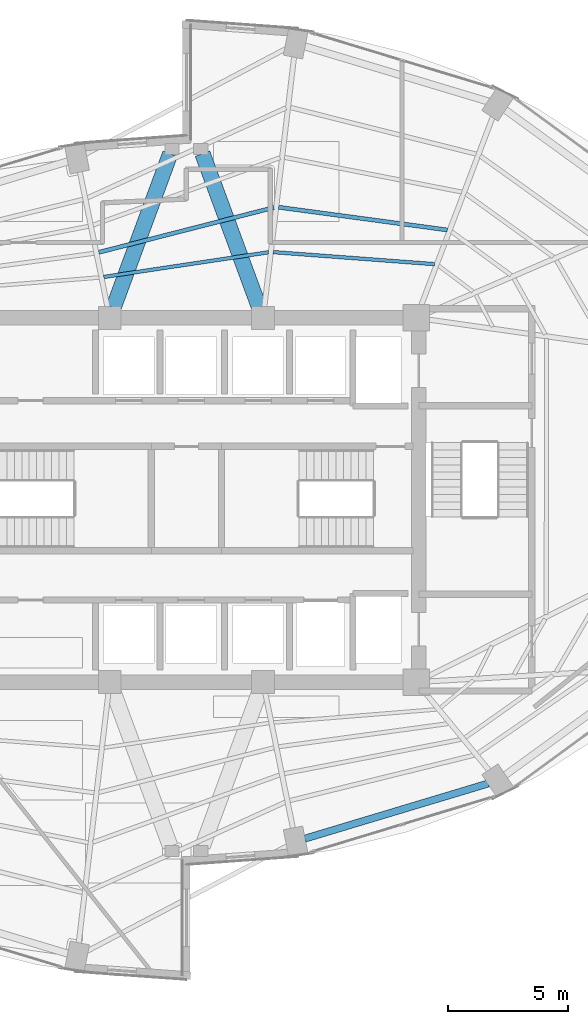
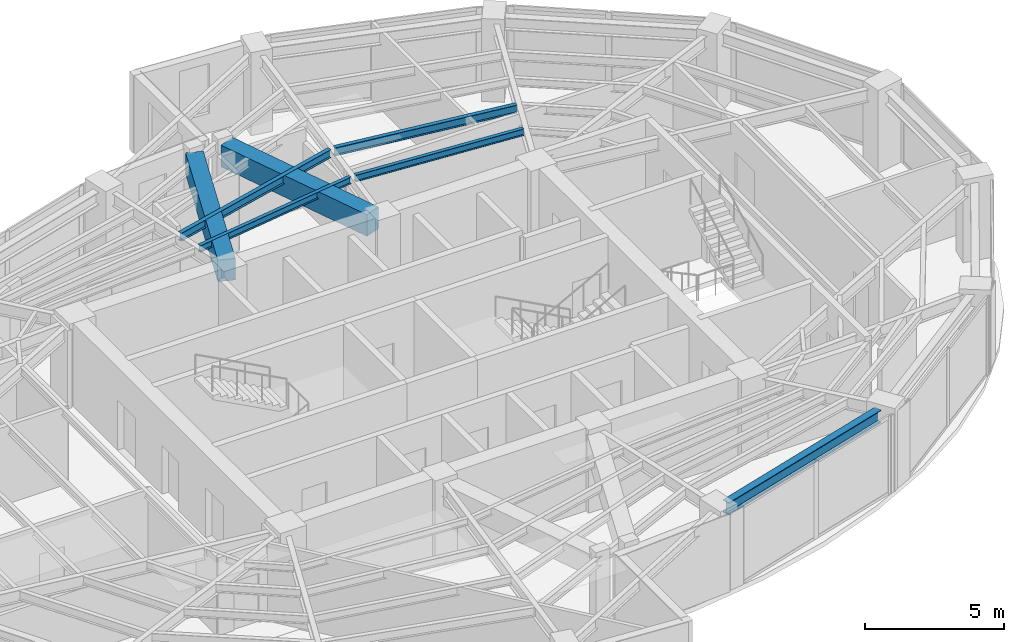
# One storey, part 8 of 20: 7 beams.
"""IFC4 building model written with IfcOpenShell, lengths in metres."""

import ifcopenshell
import ifcopenshell.guid

model = None  # the IFC model being written
_history = None  # IfcOwnerHistory: only IFC2X3 demands one
_inside = {}  # id of a spatial element -> (the spatial element, [elements in it])
_under = {}  # id of a project, library or spatial element -> (it, [spatial elements below it])
_declared = {}  # id of a project -> (the project, [libraries it declares])
_typed = {}  # id of a type object -> (the type object, [elements of that type])
_made_of = {}  # id of a material, layer set ... -> (it, [elements and type objects made of it])


def new_model(schema):
    """Start an empty IFC model of exactly this schema.

    Asked for "IFC4X3", IfcOpenShell would pick the latest addendum, in which some entities
    have other attributes; the version numbers below select the first issue.
    IFC2X3 requires an IfcOwnerHistory on every rooted entity: one is made here for all.
    """
    global model, _history
    if schema == "IFC4X3":
        model = ifcopenshell.file(schema_version=(4, 3, 0, 0))
    else:
        model = ifcopenshell.file(schema=schema)
    _inside.clear()
    _under.clear()
    _declared.clear()
    _typed.clear()
    _made_of.clear()
    _history = None
    if model.schema == "IFC2X3":
        org = make("IfcOrganization", Name="unknown")
        user = make(
            "IfcPersonAndOrganization",
            ThePerson=make("IfcPerson", FamilyName="unknown"),
            TheOrganization=org,
        )
        app = make(
            "IfcApplication",
            ApplicationDeveloper=org,
            Version="unknown",
            ApplicationFullName="unknown",
            ApplicationIdentifier="unknown",
        )
        _history = make(
            "IfcOwnerHistory",
            OwningUser=user,
            OwningApplication=app,
            ChangeAction="ADDED",
            CreationDate=0,
        )
    return model


def make(cls, **values):
    """One entity of the class cls with the attributes given. An attribute that is None is left unset."""
    return model.create_entity(
        cls, **{name: value for name, value in values.items() if value is not None}
    )


def rooted(cls, **values):
    """An entity with a GlobalId (a new one), such as an element, a storey or a relation."""
    return make(cls, GlobalId=ifcopenshell.guid.new(), OwnerHistory=_history, **values)


def si_unit(unit_type, name, prefix=None):
    """IfcSIUnit, for example si_unit("LENGTHUNIT", "METRE", prefix="MILLI")."""
    return make("IfcSIUnit", UnitType=unit_type, Prefix=prefix, Name=name)


def assignment(units):
    """IfcUnitAssignment: the units of a project."""
    return None if units is None else make("IfcUnitAssignment", Units=units)


def point(xyz):
    """IfcCartesianPoint."""
    return None if xyz is None else make("IfcCartesianPoint", Coordinates=xyz)


def direction(xyz):
    """IfcDirection."""
    return None if xyz is None else make("IfcDirection", DirectionRatios=xyz)


def frame(location, z_axis=None, x_axis=None):
    """IfcAxis2Placement3D, a coordinate frame: its origin and axes. An axis left out is left unset."""
    return make(
        "IfcAxis2Placement3D",
        Location=point(location),
        Axis=direction(z_axis),
        RefDirection=direction(x_axis),
    )


def frame_2d(location, x_axis=None):
    """IfcAxis2Placement2D, a coordinate frame in the plane: its origin and x axis."""
    return make(
        "IfcAxis2Placement2D", Location=point(location), RefDirection=direction(x_axis)
    )


def origin():
    """The frame at (0, 0, 0) with its axes left unset."""
    return frame((0.0, 0.0, 0.0))


def origin_2d():
    """The frame at (0, 0) in the plane with its x axis left unset."""
    return frame_2d((0.0, 0.0))


def place(relative_to, where):
    """IfcLocalPlacement: puts the frame where relative to a parent placement (None: the world)."""
    return make(
        "IfcLocalPlacement", PlacementRelTo=relative_to, RelativePlacement=where
    )


def context(
    kind, dimensions, precision=None, world=None, true_north=None, identifier=None
):
    """IfcGeometricRepresentationContext, for example the 3D "Model" context."""
    return make(
        "IfcGeometricRepresentationContext",
        ContextIdentifier=identifier,
        ContextType=kind,
        CoordinateSpaceDimension=dimensions,
        Precision=precision,
        WorldCoordinateSystem=world,
        TrueNorth=true_north,
    )


def subcontext(parent, identifier, kind, view, scale=None):
    """IfcGeometricRepresentationSubContext, for example "Body" below "Model"."""
    return make(
        "IfcGeometricRepresentationSubContext",
        ContextIdentifier=identifier,
        ContextType=kind,
        ParentContext=parent,
        TargetScale=scale,
        TargetView=view,
    )


def project(units=None, contexts=None):
    """IfcProject with its units and contexts."""
    return rooted(
        "IfcProject",
        Name="project",
        RepresentationContexts=contexts,
        UnitsInContext=assignment(units),
    )


def spatial(cls, under=None, at=None, **own):
    """A site, building, storey or space (cls), placed at a placement, below another one or the project."""
    s = rooted(cls, ObjectPlacement=at, **own)
    if under is not None:
        _under.setdefault(under.id(), (under, []))[1].append(s)
    return s


def profile(cls, at=None, kind="AREA", **sizes):
    """A parametric profile (cls). Its sizes go by their IFC names, for example OverallWidth=200.0."""
    return make(cls, ProfileType=kind, Position=at, **sizes)


def rectangle(**sizes):
    """IfcRectangleProfileDef."""
    return profile("IfcRectangleProfileDef", **sizes)


def i_section(**sizes):
    """IfcIShapeProfileDef."""
    return profile("IfcIShapeProfileDef", **sizes)


def extrude(swept, where, along, depth):
    """IfcExtrudedAreaSolid: the profile swept, set in the frame where, extruded along a direction by depth."""
    return make(
        "IfcExtrudedAreaSolid",
        SweptArea=swept,
        Position=where,
        ExtrudedDirection=direction(along),
        Depth=depth,
    )


def shape(context_of_items, identifier, shape_type, items):
    """IfcShapeRepresentation: the items that make up one representation, for example the "Body"."""
    return make(
        "IfcShapeRepresentation",
        ContextOfItems=context_of_items,
        RepresentationIdentifier=identifier,
        RepresentationType=shape_type,
        Items=items,
    )


def material(Name=None, Category=None):
    """IfcMaterial."""
    return make("IfcMaterial", Name=Name, Category=Category)


def material_profile(
    of_material, cross_section, Name=None, Category=None, Priority=None
):
    """IfcMaterialProfile: a cross section and its material."""
    return make(
        "IfcMaterialProfile",
        Name=Name,
        Material=of_material,
        Profile=cross_section,
        Priority=Priority,
        Category=Category,
    )


def profile_set(profiles, Name=None, composite=None):
    """IfcMaterialProfileSet."""
    return make(
        "IfcMaterialProfileSet",
        Name=Name,
        MaterialProfiles=profiles,
        CompositeProfile=composite,
    )


def made_of(thing, what):
    """Note that an element or type object is made of a material, layer set ...; save() writes the relation."""
    if what is not None:
        _made_of.setdefault(what.id(), (what, []))[1].append(thing)
    return thing


def type_object(cls, material=None, **own):
    """A type object (cls), such as IfcWallType, which elements share."""
    return made_of(rooted(cls, **own), material)


def element(
    cls,
    number,
    at=None,
    inside=None,
    cuts=None,
    type_object=None,
    material=None,
    context=None,
    identifier="Body",
    shape_type=None,
    held_by="IfcProductDefinitionShape",
    body=None,
    shapes=None,
    **own,
):
    """One element of the class cls, such as IfcWall. Its Tag is "e" and its number.

    at: its placement. inside: the storey or other place that contains it. cuts: it is an
    opening in that element (IfcRelVoidsElement). A single representation is given by context,
    identifier, shape_type and body (its items); several are given by shapes. held_by: the class
    of the entity that holds the representations. save() writes the other relations.
    """
    e = rooted(cls, Tag="e%d" % number, ObjectPlacement=at, **own)
    if body is not None:
        shapes = [shape(context, identifier, shape_type, body)]
    if shapes is not None:
        e.Representation = make(held_by, Representations=shapes)
    if inside is not None:
        _inside.setdefault(inside.id(), (inside, []))[1].append(e)
    if cuts is not None:
        rooted(
            "IfcRelVoidsElement", RelatingBuildingElement=cuts, RelatedOpeningElement=e
        )
    if type_object is not None:
        _typed.setdefault(type_object.id(), (type_object, []))[1].append(e)
    return made_of(e, material)


def aggregate(whole, parts):
    """IfcRelAggregates: a whole, such as a stair, and the parts it consists of."""
    return rooted("IfcRelAggregates", RelatingObject=whole, RelatedObjects=parts)


def save(model, path):
    """Write the relations noted so far, then the file.

    IfcRelAggregates (storeys below a building ...), IfcRelContainedInSpatialStructure (elements
    in a storey), IfcRelDefinesByType, IfcRelAssociatesMaterial and IfcRelDeclares: one each for
    every whole, place, type object, material and project.
    """
    for whole, parts in _under.values():
        aggregate(whole, parts)
    for where, things in _inside.values():
        rooted(
            "IfcRelContainedInSpatialStructure",
            RelatedElements=things,
            RelatingStructure=where,
        )
    for kind, things in _typed.values():
        rooted("IfcRelDefinesByType", RelatedObjects=things, RelatingType=kind)
    for what, things in _made_of.values():
        rooted("IfcRelAssociatesMaterial", RelatedObjects=things, RelatingMaterial=what)
    for by, libraries in _declared.values():
        rooted("IfcRelDeclares", RelatingContext=by, RelatedDefinitions=libraries)
    model.write(path)


model = new_model("IFC4")

# Units and contexts
model_context = context("Model", 3, precision=1e-05, world=origin(), true_north=direction((0.0, 1.0)))
body_context = subcontext(model_context, "Body", "Model", "MODEL_VIEW")
ifc_project = project(units=[si_unit("LENGTHUNIT", "METRE"), si_unit("AREAUNIT", "SQUARE_METRE"), si_unit("VOLUMEUNIT", "CUBIC_METRE"), si_unit("PLANEANGLEUNIT", "RADIAN"), si_unit("MASSUNIT", "GRAM", prefix="KILO")], contexts=[model_context])

# Site, building, storey
site_placement = place(None, origin())
site = spatial("IfcSite", under=ifc_project, at=site_placement, CompositionType="ELEMENT")
building_placement = place(site_placement, origin())
building = spatial("IfcBuilding", under=site, at=building_placement, Name="Lazwardi Medical Tower", CompositionType="ELEMENT")
storey_placement = place(building_placement, frame((0.0, 0.0, 149.23193359375)))
storey = spatial("IfcBuildingStorey", under=building, at=storey_placement, Name="L38", CompositionType="ELEMENT", Elevation=149.23193359375)

# Beams
ifc_material_1 = material(Name="Concrete C60/75", Category="concrete")
ifc_material_profile_1 = material_profile(ifc_material_1, rectangle(XDim=0.64990234375, YDim=0.949951171875, at=origin_2d()), Name="RC 650x950")
ifc_profile_set_1 = profile_set([ifc_material_profile_1], Name="Concrete C60/75")
beam_type_1 = type_object("IfcBeamType", Name="BM-CB-RC2", PredefinedType="LINTEL", material=ifc_profile_set_1)
for number, where, z_axis, x_axis, name in (
    (1, (32.959228515625, 36.031494140625, 2.953125), (0.34601281054, 0.938229787921, 0.0), (-0.938229787921, 0.34601281054, 0.0), "Core coupling lintel CB-02 PL1 L38"),
    (2, (39.040771484375, 36.031494140625, 2.953125), (-0.34601281054, 0.938229787921, 0.0), (-0.938229787921, -0.34601281054, 0.0), "Core coupling lintel CB-02 PL2 L38"),
):
    element("IfcBeam", number, at=place(storey_placement, frame(where, z_axis=z_axis, x_axis=x_axis)), inside=storey, type_object=beam_type_1, Name=name, PredefinedType="LINTEL", context=body_context, shape_type="SweptSolid", body=[
        extrude(rectangle(XDim=0.64990234375, YDim=0.949951171875, at=origin_2d()), origin(), (0.0, 0.0, 1.0), 6.84423828125),
    ])
ifc_material_2 = material(Name="Steel S355", Category="steel")
ifc_material_profile_2 = material_profile(ifc_material_2, i_section(OverallWidth=0.300048828125, OverallDepth=0.550048828125, WebThickness=0.014892578125, FlangeThickness=0.029052734375, at=origin_2d()), Name="HEB 550")
ifc_profile_set_2 = profile_set([ifc_material_profile_2], Name="Steel S355")
beam_type_2 = type_object("IfcBeamType", Name="BM-RB-Z3", PredefinedType="BEAM", material=ifc_profile_set_2)
beam_1_placement = place(storey_placement, frame((40.943115234375, 13.866455078125, 3.153076171875), z_axis=(0.957616873483, 0.288045002771, 0.0), x_axis=(-0.288045002771, 0.957616873483, 0.0)))
element("IfcBeam", 3, at=beam_1_placement, inside=storey, type_object=beam_type_2, Name="Ring beam RB-04 B01 L38", PredefinedType="BEAM", context=body_context, shape_type="SweptSolid", body=[
    extrude(i_section(OverallWidth=0.300048828125, OverallDepth=0.550048828125, WebThickness=0.014892578125, FlangeThickness=0.029052734375, at=origin_2d()), origin(), (0.0, 0.0, 1.0), 7.99951171875),
])
ifc_material_profile_3 = material_profile(ifc_material_2, i_section(OverallWidth=0.169921875, OverallDepth=0.360107421875, WebThickness=0.008056640625, FlangeThickness=0.0126953125, at=origin_2d()), Name="IPE 360")
ifc_profile_set_3 = profile_set([ifc_material_profile_3], Name="Steel S355")
beam_type_3 = type_object("IfcBeamType", Name="BM-SJ-02", PredefinedType="JOIST", material=ifc_profile_set_3)
beam_2_placement = place(storey_placement, frame((46.889892578125, 39.269775390625, 3.248046875), z_axis=(-0.991056291961, 0.133444468468, 0.0), x_axis=(-0.133444468468, -0.991056291961, 0.0)))
element("IfcBeam", 4, at=beam_2_placement, inside=storey, type_object=beam_type_3, Name="Secondary joist SJ-02 R3 B07 L38", PredefinedType="JOIST", context=body_context, shape_type="SweptSolid", body=[
    extrude(i_section(OverallWidth=0.169921875, OverallDepth=0.360107421875, WebThickness=0.008056640625, FlangeThickness=0.0126953125, at=origin_2d()), origin(), (0.0, 0.0, 1.0), 7.10400390625),
])
beam_3_placement = place(storey_placement, frame((39.6533203125, 40.206298828125, 3.248046875), z_axis=(-0.96877632572, -0.247936344097, 0.0), x_axis=(0.247936344097, -0.96877632572, 0.0)))
element("IfcBeam", 5, at=beam_3_placement, inside=storey, type_object=beam_type_3, Name="Secondary joist SJ-02 R3 B08 L38", PredefinedType="JOIST", context=body_context, shape_type="SweptSolid", body=[
    extrude(i_section(OverallWidth=0.169921875, OverallDepth=0.360107421875, WebThickness=0.008056640625, FlangeThickness=0.0126953125, at=origin_2d()), origin(), (0.0, 0.0, 1.0), 7.546630859375),
])
ifc_material_profile_4 = material_profile(ifc_material_2, i_section(OverallWidth=0.14990234375, OverallDepth=0.300048828125, WebThickness=0.007080078125, FlangeThickness=0.0107421875, at=origin_2d()), Name="IPE 300")
ifc_profile_set_4 = profile_set([ifc_material_profile_4], Name="Steel S355")
beam_type_4 = type_object("IfcBeamType", Name="BM-SJ-03", PredefinedType="JOIST", material=ifc_profile_set_4)
beam_4_placement = place(storey_placement, frame((46.349609375, 37.843505859375, 3.278076171875), z_axis=(-0.99722699261, 0.074419924822, 0.0), x_axis=(-0.074419924822, -0.99722699261, 0.0)))
element("IfcBeam", 6, at=beam_4_placement, inside=storey, type_object=beam_type_4, Name="Secondary joist SJ-03 R4 B07 L38", PredefinedType="JOIST", context=body_context, shape_type="SweptSolid", body=[
    extrude(i_section(OverallWidth=0.14990234375, OverallDepth=0.300048828125, WebThickness=0.007080078125, FlangeThickness=0.0107421875, at=origin_2d()), origin(), (0.0, 0.0, 1.0), 6.74169921875),
])
beam_5_placement = place(storey_placement, frame((39.42822265625, 38.337890625, 3.278076171875), z_axis=(-0.98897469849, -0.148084589835, 0.0), x_axis=(0.148084589835, -0.98897469849, 0.0)))
element("IfcBeam", 7, at=beam_5_placement, inside=storey, type_object=beam_type_4, Name="Secondary joist SJ-03 R4 B08 L38", PredefinedType="JOIST", context=body_context, shape_type="SweptSolid", body=[
    extrude(i_section(OverallWidth=0.14990234375, OverallDepth=0.300048828125, WebThickness=0.007080078125, FlangeThickness=0.0107421875, at=origin_2d()), origin(), (0.0, 0.0, 1.0), 6.952392578125),
])

save(model, "model.ifc")
